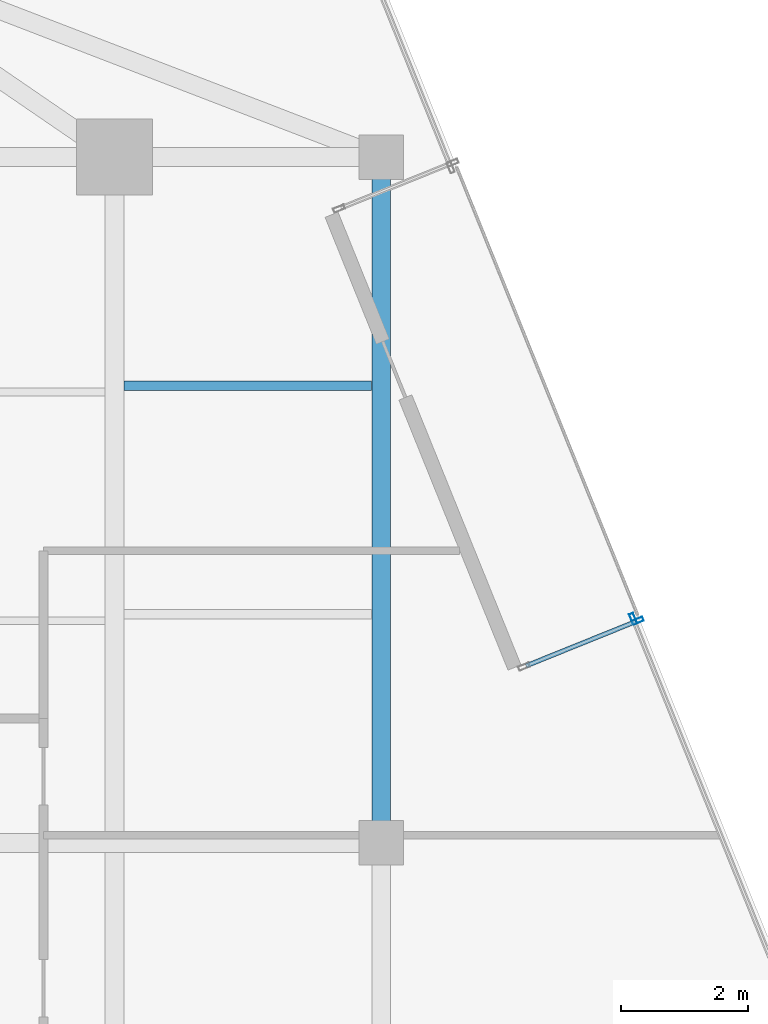
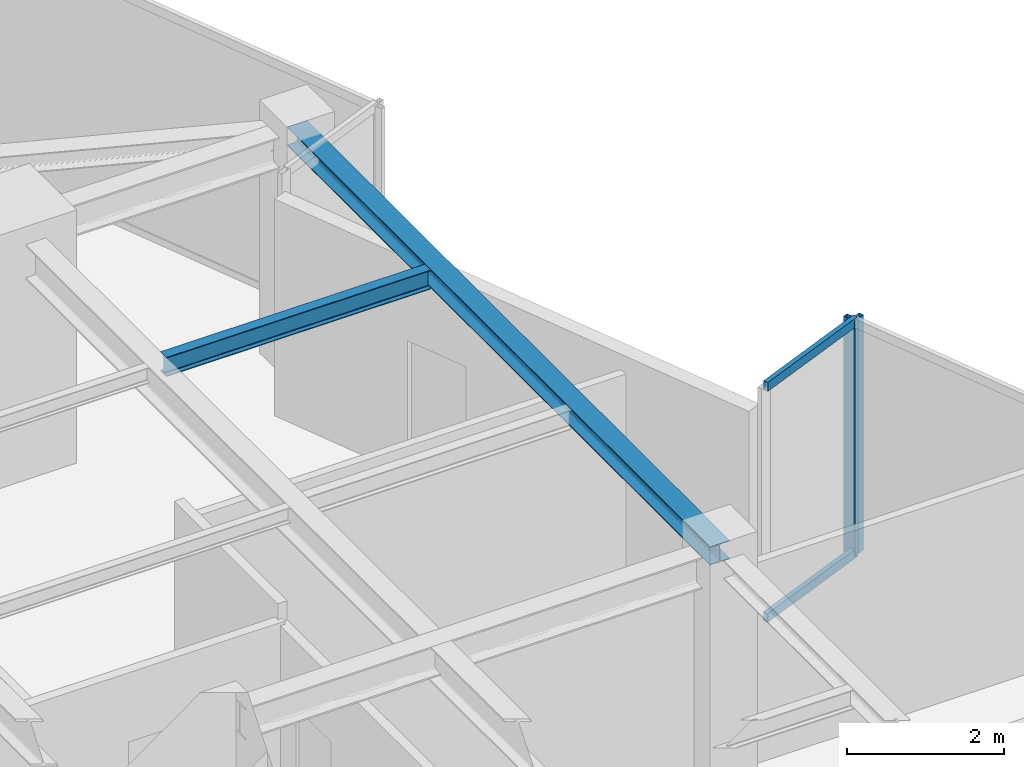
# One storey, part 12 of 21: 4 members, 2 beams, 2 elements without a shape of their own.
"""IFC4 building model written with IfcOpenShell, lengths in metres."""

from ifc_helpers import new_model, si_unit, direction, frame, origin, origin_2d, place, context, subcontext, project, spatial, hollow_rectangle, i_section, extrude, source, transform, mapped, material, material_profile, profile_set, type_object, type_shapes, element, aggregate, save


model = new_model("IFC4")

# Units and contexts
model_context = context("Model", 3, precision=1e-05, world=origin(), true_north=direction((0.0, 1.0)))
body_context = subcontext(model_context, "Body", "Model", "MODEL_VIEW")
ifc_project = project(units=[si_unit("LENGTHUNIT", "METRE"), si_unit("AREAUNIT", "SQUARE_METRE"), si_unit("VOLUMEUNIT", "CUBIC_METRE"), si_unit("PLANEANGLEUNIT", "RADIAN"), si_unit("MASSUNIT", "GRAM", prefix="KILO")], contexts=[model_context])

# Site, building, storey
site_placement = place(None, origin())
site = spatial("IfcSite", under=ifc_project, at=site_placement, CompositionType="ELEMENT")
building_placement = place(site_placement, origin())
building = spatial("IfcBuilding", under=site, at=building_placement, Name="Krantzveldt Concourse Tower", CompositionType="ELEMENT")
storey_placement = place(building_placement, frame((0.0, 0.0, 323.75)))
storey = spatial("IfcBuildingStorey", under=building, at=storey_placement, Name="L79", CompositionType="ELEMENT", Elevation=323.75)

# Beams
ifc_material_1 = material(Name="Steel S355JR", Category="steel")
ifc_material_profile_1 = material_profile(ifc_material_1, i_section(OverallWidth=0.2900390625, OverallDepth=0.2900390625, WebThickness=0.008544921875, FlangeThickness=0.013916015625, FilletRadius=0.027099609375, at=origin_2d()), Name="Steel S355JR", Category="steel")
ifc_profile_set_1 = profile_set([ifc_material_profile_1], Name="Steel S355JR - HEA 300")
beam_type_1 = type_object("IfcBeamType", Name="BM-SP-HEA300", PredefinedType="SPANDREL", material=ifc_profile_set_1)
shared_shape_1 = source(origin(), body_context, "Body", "SweptSolid", [
    extrude(i_section(OverallWidth=0.2900390625, OverallDepth=0.2900390625, WebThickness=0.008544921875, FlangeThickness=0.013916015625, FilletRadius=0.027099609375, at=origin_2d()), origin(), (0.0, 0.0, 1.0), 10.800048828125),
])
type_shapes(beam_type_1, [shared_shape_1])
beam_1_placement = place(storey_placement, frame((51.0, 37.5, 3.52490234375), z_axis=(0.0, -1.0, 0.0), x_axis=(1.0, 0.0, 0.0)))
element("IfcBeam", 1, at=beam_1_placement, inside=storey, type_object=beam_type_1, Name="L79 Tower Girder SP-R06", PredefinedType="SPANDREL", context=body_context, shape_type="MappedRepresentation", body=[
    mapped(shared_shape_1, transform((0.0, 0.0, 0.0), x_axis=(1.0, 0.0, 0.0), y_axis=(0.0, 1.0, 0.0), z_axis=(0.0, 0.0, 1.0), scale=1.0)),
])
ifc_material_profile_2 = material_profile(ifc_material_1, i_section(OverallWidth=0.14990234375, OverallDepth=0.300048828125, WebThickness=0.007080078125, FlangeThickness=0.0107421875, FilletRadius=0.014892578125, at=origin_2d()), Name="Steel S355JR", Category="steel")
ifc_profile_set_2 = profile_set([ifc_material_profile_2], Name="Steel S355JR - IPE 300")
beam_type_2 = type_object("IfcBeamType", Name="BM-J-IPE300", PredefinedType="JOIST", material=ifc_profile_set_2)
shared_shape_2 = source(origin(), body_context, "Body", "SweptSolid", [
    extrude(i_section(OverallWidth=0.14990234375, OverallDepth=0.300048828125, WebThickness=0.007080078125, FlangeThickness=0.0107421875, FilletRadius=0.014892578125, at=origin_2d()), origin(), (0.0, 0.0, 1.0), 3.900146484375),
])
type_shapes(beam_type_2, [shared_shape_2])
beam_2_placement = place(storey_placement, frame((46.949951171875, 33.89990234375, 3.52001953125), z_axis=(1.0, 0.0, 0.0), x_axis=(0.0, 1.0, 0.0)))
element("IfcBeam", 2, at=beam_2_placement, inside=storey, type_object=beam_type_2, Name="L79 Secondary Floor Joist JE-4", PredefinedType="JOIST", context=body_context, shape_type="MappedRepresentation", body=[
    mapped(shared_shape_2, transform((0.0, 0.0, 0.0), x_axis=(1.0, 0.0, 0.0), y_axis=(0.0, 1.0, 0.0), z_axis=(0.0, 0.0, 1.0), scale=1.0)),
])

# Curtain wall, member
ifc_material_2 = material(Name="Anodised aluminium 6063-T6", Category="aluminium")
curtain_wall_type_1 = type_object("IfcCurtainWallType", Name="CW4", PredefinedType="USERDEFINED", material=ifc_material_2)
curtain_wall_1_placement = place(storey_placement, origin())
curtain_wall_1 = element("IfcCurtainWall", 3, at=curtain_wall_1_placement, inside=storey, type_object=curtain_wall_type_1, Name="CW-L79-F10", ObjectType="UNITISED CURTAIN WALL", PredefinedType="USERDEFINED")
ifc_material_profile_3 = material_profile(ifc_material_2, hollow_rectangle(XDim=0.070068359375, YDim=0.179931640625, WallThickness=0.0048828125, at=origin_2d()), Name="Anodised aluminium 6063-T6", Category="aluminium")
ifc_profile_set_3 = profile_set([ifc_material_profile_3], Name="Anodised aluminium 6063-T6 - ALU-MULL 180x70x5")
member_type_1 = type_object("IfcMemberType", Name="CW-MUL-180", PredefinedType="MULLION", material=ifc_profile_set_3)
shared_shape_3 = source(origin(), body_context, "Body", "SweptSolid", [
    extrude(hollow_rectangle(XDim=0.070068359375, YDim=0.179931640625, WallThickness=0.0048828125, at=origin_2d()), origin(), (0.0, 0.0, 1.0), 3.669921875),
])
type_shapes(member_type_1, [shared_shape_3])
member_1_placement = place(storey_placement, frame((54.9697265625, 30.22802734375, 0.0), z_axis=(0.0, 0.0, 1.0), x_axis=(-0.927184046879, -0.374606117426, 0.0)))
member_1 = element("IfcMember", 4, at=member_1_placement, type_object=member_type_1, Name="CW-Z56 mullion 2", PredefinedType="MULLION", context=body_context, shape_type="MappedRepresentation", body=[
    mapped(shared_shape_3, transform((0.0, 0.0, 0.0), x_axis=(1.0, 0.0, 0.0), y_axis=(0.0, 1.0, 0.0), z_axis=(0.0, 0.0, 1.0), scale=1.0)),
])
aggregate(curtain_wall_1, [member_1])

# Curtain wall, members
curtain_wall_type_2 = type_object("IfcCurtainWallType", Name="CW6", PredefinedType="USERDEFINED", material=ifc_material_2)
curtain_wall_2_placement = place(storey_placement, origin())
curtain_wall_2 = element("IfcCurtainWall", 5, at=curtain_wall_2_placement, inside=storey, type_object=curtain_wall_type_2, Name="CW-L79-TR11", ObjectType="UNITISED CURTAIN WALL", PredefinedType="USERDEFINED")
member_2_placement = place(storey_placement, frame((55.041259765625, 30.19775390625, 0.0), z_axis=(0.0, 0.0, 1.0), x_axis=(0.374609124101, -0.9271828321, 0.0)))
member_2 = element("IfcMember", 6, at=member_2_placement, type_object=member_type_1, Name="CW-TERR mullion 1", PredefinedType="MULLION", context=body_context, shape_type="MappedRepresentation", body=[
    mapped(shared_shape_3, transform((0.0, 0.0, 0.0), x_axis=(1.0, 0.0, 0.0), y_axis=(0.0, 1.0, 0.0), z_axis=(0.0, 0.0, 1.0), scale=1.0)),
])
ifc_material_profile_4 = material_profile(ifc_material_2, hollow_rectangle(XDim=0.070068359375, YDim=0.139892578125, WallThickness=0.0048828125, at=origin_2d()), Name="Anodised aluminium 6063-T6", Category="aluminium")
ifc_profile_set_4 = profile_set([ifc_material_profile_4], Name="Anodised aluminium 6063-T6 - ALU-TRAN 140x70x5")
member_type_2 = type_object("IfcMemberType", Name="CW-TRN-150", PredefinedType="USERDEFINED", material=ifc_profile_set_4)
shared_shape_4 = source(origin(), body_context, "Body", "SweptSolid", [
    extrude(hollow_rectangle(XDim=0.070068359375, YDim=0.139892578125, WallThickness=0.0048828125, at=origin_2d()), origin(), (0.0, 0.0, 1.0), 1.860107421875),
])
type_shapes(member_type_2, [shared_shape_4])
member_3_placement = place(storey_placement, frame((55.0087890625, 30.1845703125, 0.034912109375), z_axis=(-0.927185735513, -0.374601937876, 0.0), x_axis=(0.374601937876, -0.927185735513, 0.0)))
member_3 = element("IfcMember", 7, at=member_3_placement, type_object=member_type_2, Name="CW-TERR transom 1.1", ObjectType="TRANSOM", PredefinedType="USERDEFINED", context=body_context, shape_type="MappedRepresentation", body=[
    mapped(shared_shape_4, transform((0.0, 0.0, 0.0), x_axis=(1.0, 0.0, 0.0), y_axis=(0.0, 1.0, 0.0), z_axis=(0.0, 0.0, 1.0), scale=1.0)),
])
member_4_placement = place(storey_placement, frame((55.0087890625, 30.1845703125, 3.635009765625), z_axis=(-0.927185735513, -0.374601937876, 0.0), x_axis=(0.374601937876, -0.927185735513, 0.0)))
member_4 = element("IfcMember", 8, at=member_4_placement, type_object=member_type_2, Name="CW-TERR transom 1.2", ObjectType="TRANSOM", PredefinedType="USERDEFINED", context=body_context, shape_type="MappedRepresentation", body=[
    mapped(shared_shape_4, transform((0.0, 0.0, 0.0), x_axis=(1.0, 0.0, 0.0), y_axis=(0.0, 1.0, 0.0), z_axis=(0.0, 0.0, 1.0), scale=1.0)),
])
aggregate(curtain_wall_2, [member_2, member_3, member_4])

save(model, "model.ifc")
